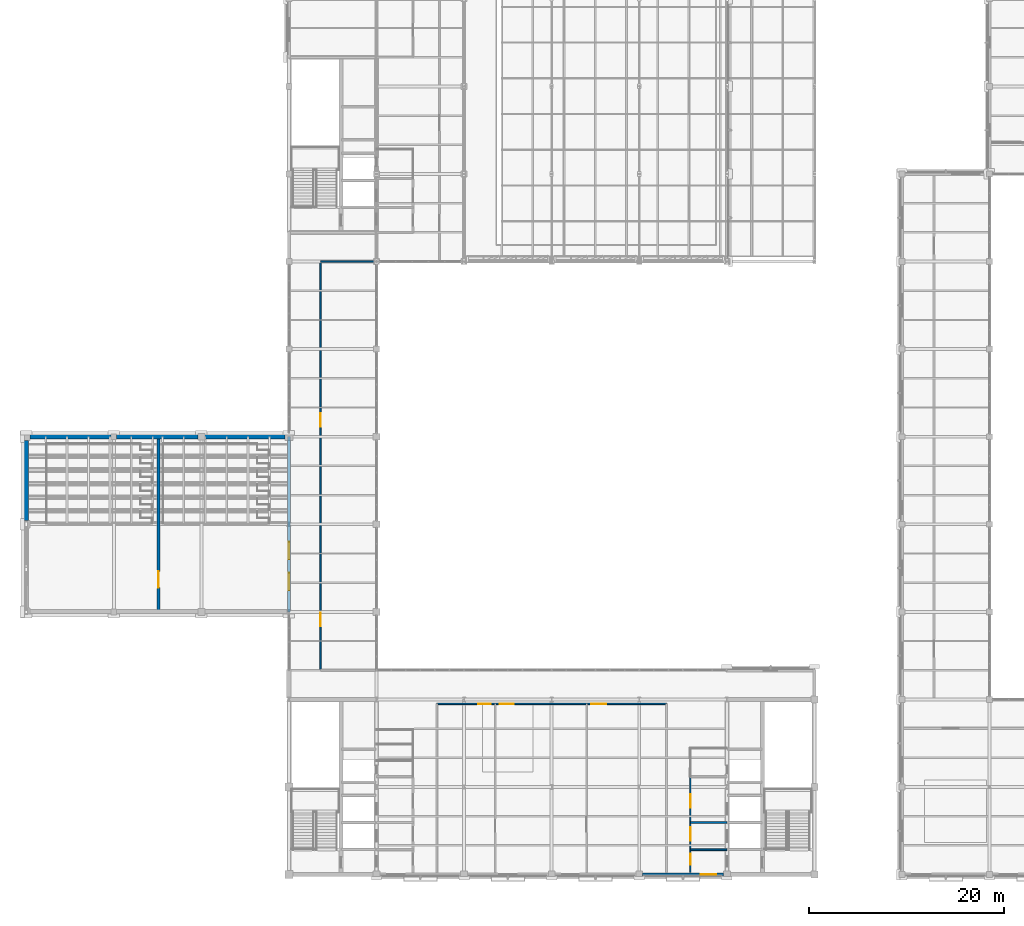
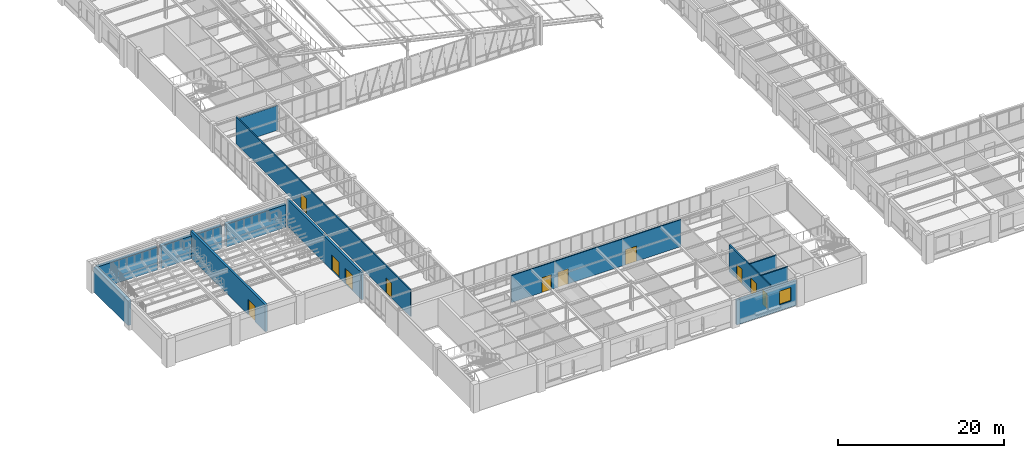
# One storey, part 112 of 130: 13 walls, 11 doors, 1 window, 12 openings.
"""IFC4 building model written with IfcOpenShell, lengths in metres."""

from ifc_helpers import new_model, si_unit, direction, frame, frame_2d, origin, place, context, subcontext, project, spatial, rectangle, extrude, material, layer, layer_set, type_object, element, fill, save


model = new_model("IFC4")

# Units and contexts
model_context = context("Model", 3, precision=1e-05, world=origin(), true_north=direction((0.0, 1.0)))
body_context = subcontext(model_context, "Body", "Model", "MODEL_VIEW")
ifc_project = project(units=[si_unit("LENGTHUNIT", "METRE"), si_unit("AREAUNIT", "SQUARE_METRE"), si_unit("VOLUMEUNIT", "CUBIC_METRE"), si_unit("PLANEANGLEUNIT", "RADIAN"), si_unit("MASSUNIT", "GRAM", prefix="KILO")], contexts=[model_context])

# Site, building, storey
site_placement = place(None, origin())
site = spatial("IfcSite", under=ifc_project, at=site_placement, CompositionType="ELEMENT")
building_placement = place(site_placement, origin())
building = spatial("IfcBuilding", under=site, at=building_placement, Name="Lykobir Media Centre", CompositionType="ELEMENT")
storey_placement = place(building_placement, frame((0.0, 0.0, 19.199951171875)))
storey = spatial("IfcBuildingStorey", under=building, at=storey_placement, Name="L04", CompositionType="ELEMENT", Elevation=19.199951171875)

# Walls
ifc_material_1 = material(Name="Concrete C35/45", Category="concrete")
ifc_layer_1 = layer(ifc_material_1, 0.4599609375, Name="Concrete C35/45")
ifc_layer_set_1 = layer_set([ifc_layer_1], Name="Concrete C35/45")
wall_type_1 = type_object("IfcWallType", Name="EW-ACO-460", PredefinedType="STANDARD", material=ifc_layer_set_1)
wall_1_placement = place(storey_placement, frame((8.715087890625, 45.0, 0.0), z_axis=(0.0, 0.0, 1.0), x_axis=(-1.0, 0.0, 0.0)))
element("IfcWall", 1, at=wall_1_placement, inside=storey, type_object=wall_type_1, Name="Exterior wall WALL-L04-0289", PredefinedType="STANDARD", context=body_context, shape_type="SweptSolid", body=[
    extrude(rectangle(XDim=8.330078125, YDim=0.4599609375, at=frame_2d((4.1650390625, 0.0))), origin(), (0.0, 0.0, 1.0), 3.3349609375),
])
wall_2_placement = place(storey_placement, frame((17.6650390625, 45.0, 0.0), z_axis=(0.0, 0.0, 1.0), x_axis=(-1.0, 0.0, 0.0)))
element("IfcWall", 2, at=wall_2_placement, inside=storey, type_object=wall_type_1, Name="Exterior wall WALL-L04-0290", PredefinedType="STANDARD", context=body_context, shape_type="SweptSolid", body=[
    extrude(rectangle(XDim=8.380126953125, YDim=0.4599609375, at=frame_2d((4.18994140625, 0.0))), origin(), (0.0, 0.0, 1.0), 3.3349609375),
])
wall_3_placement = place(storey_placement, frame((26.614990234375, 45.0, 0.0), z_axis=(0.0, 0.0, 1.0), x_axis=(-1.0, 0.0, 0.0)))
element("IfcWall", 3, at=wall_3_placement, inside=storey, type_object=wall_type_1, Name="Exterior wall WALL-L04-0291", PredefinedType="STANDARD", context=body_context, shape_type="SweptSolid", body=[
    extrude(rectangle(XDim=8.280029296875, YDim=0.4599609375, at=frame_2d((4.14013671875, 0.0))), origin(), (0.0, 0.0, 1.0), 3.3349609375),
])
wall_4_placement = place(storey_placement, frame((0.0, 44.614990234375, 0.0), z_axis=(0.0, 0.0, 1.0), x_axis=(0.0, -1.0, 0.0)))
element("IfcWall", 4, at=wall_4_placement, inside=storey, type_object=wall_type_1, Name="Exterior wall WALL-L04-0293", PredefinedType="STANDARD", context=body_context, shape_type="SweptSolid", body=[
    extrude(rectangle(XDim=8.22998046875, YDim=0.4599609375, at=frame_2d((4.114990234375, 0.0))), origin(), (0.0, 0.0, 1.0), 3.625),
])

# Wall, opening, window
ifc_material_2 = material(Name="Glazed Turquoise Terracotta", Category="masonry")
ifc_layer_2 = layer(ifc_material_2, 0.31005859375, Name="Glazed Turquoise Terracotta")
ifc_layer_set_2 = layer_set([ifc_layer_2], Name="Glazed Turquoise Terracotta")
wall_type_2 = type_object("IfcWallType", Name="EW-TER-310", PredefinedType="STANDARD", material=ifc_layer_set_2)
wall_5_placement = place(storey_placement, frame((63.3349609375, 0.0, 0.0), z_axis=(0.0, 0.0, 1.0), x_axis=(1.0, 0.0, 0.0)))
wall_5 = element("IfcWall", 5, at=wall_5_placement, inside=storey, type_object=wall_type_2, Name="Exterior wall WALL-L04-0276", PredefinedType="STANDARD", context=body_context, shape_type="SweptSolid", body=[
    extrude(rectangle(XDim=8.330078125, YDim=0.31005859375, at=frame_2d((4.1650390625, 0.0))), origin(), (0.0, 0.0, 1.0), 3.635009765625),
])
opening_1_placement = place(wall_5_placement, frame((5.97998046875, 0.0, 0.89990234375)))
opening_1 = element("IfcOpeningElement", 6, at=opening_1_placement, cuts=wall_5, Name="Opening WN-1600x2000", PredefinedType="OPENING", context=body_context, shape_type="SweptSolid", body=[
    extrude(rectangle(XDim=1.60009765625, YDim=2.0, at=frame_2d((0.800048828125, 1.0))), frame((0.0, 0.1650390625, 0.0), z_axis=(0.0, -1.0, 0.0), x_axis=(1.0, 0.0, 0.0)), (0.0, 0.0, 1.0), 0.330078125),
])
ifc_material_3 = material(Name="Low-E Laminated Triple Glazing", Category="glass")
window_type = type_object("IfcWindowType", Name="WN-1600x2000", PartitioningType="SINGLE_PANEL", PredefinedType="WINDOW", material=ifc_material_3)
window_placement = place(opening_1_placement, origin())
window = element("IfcWindow", 7, at=window_placement, inside=storey, type_object=window_type, Name="Window WIN-L04-0102", OverallHeight=2.0, OverallWidth=1.60009765625, PartitioningType="SINGLE_PANEL", PredefinedType="WINDOW", context=body_context, shape_type="SweptSolid", body=[
    extrude(rectangle(XDim=1.60009765625, YDim=2.0, at=frame_2d((0.800048828125, 1.0))), frame((0.0, 0.030029296875, 0.0), z_axis=(0.0, -1.0, 0.0), x_axis=(1.0, 0.0, 0.0)), (0.0, 0.0, 1.0), 0.06005859375),
])
fill(opening_1, window)

# Wall, openings, doors
ifc_material_4 = material(Name="Acoustic Gypsum Board", Category="gypsum")
ifc_layer_3 = layer(ifc_material_4, 0.14501953125, Name="Acoustic Gypsum Board")
ifc_layer_set_3 = layer_set([ifc_layer_3], Name="Acoustic Gypsum Board")
wall_type_3 = type_object("IfcWallType", Name="IW-COR-145", PredefinedType="PARTITIONING", material=ifc_layer_set_3)
wall_6_placement = place(storey_placement, frame((42.199951171875, 17.550048828125, 0.0), z_axis=(0.0, 0.0, 1.0), x_axis=(1.0, 0.0, 0.0)))
wall_6 = element("IfcWall", 8, at=wall_6_placement, inside=storey, type_object=wall_type_3, Name="Wall IWALL-L04-0734", PredefinedType="PARTITIONING", context=body_context, shape_type="SweptSolid", body=[
    extrude(rectangle(XDim=23.60009765625, YDim=0.14501953125, at=frame_2d((11.800048828125, 0.0))), origin(), (0.0, 0.0, 1.0), 3.9599609375),
])
opening_2_placement = place(wall_6_placement, frame((4.25, 0.0, 0.0)))
opening_2 = element("IfcOpeningElement", 9, at=opening_2_placement, cuts=wall_6, Name="Opening D-L04-V7R1", PredefinedType="OPENING", context=body_context, shape_type="SweptSolid", body=[
    extrude(rectangle(XDim=1.300048828125, YDim=2.179931640625, at=frame_2d((0.64990234375, 1.08984375))), frame((0.0, 0.08251953125, 0.0), z_axis=(0.0, -1.0, 0.0), x_axis=(1.0, 0.0, 0.0)), (0.0, 0.0, 1.0), 0.1650390625),
])
opening_3_placement = place(wall_6_placement, frame((6.449951171875, 0.0, 0.0)))
opening_3 = element("IfcOpeningElement", 10, at=opening_3_placement, cuts=wall_6, Name="Opening D-L04-V7R2", PredefinedType="OPENING", context=body_context, shape_type="SweptSolid", body=[
    extrude(rectangle(XDim=1.449951171875, YDim=2.219970703125, at=frame_2d((0.72509765625, 1.10986328125))), frame((0.0, 0.08251953125, 0.0), z_axis=(0.0, -1.0, 0.0), x_axis=(1.0, 0.0, 0.0)), (0.0, 0.0, 1.0), 0.1650390625),
])
opening_4_placement = place(wall_6_placement, frame((15.85009765625, 0.0, 0.0)))
opening_4 = element("IfcOpeningElement", 11, at=opening_4_placement, cuts=wall_6, Name="Opening D-L04-V7R3", PredefinedType="OPENING", context=body_context, shape_type="SweptSolid", body=[
    extrude(rectangle(XDim=1.550048828125, YDim=2.239990234375, at=frame_2d((0.77490234375, 1.1201171875))), frame((0.0, 0.08251953125, 0.0), z_axis=(0.0, -1.0, 0.0), x_axis=(1.0, 0.0, 0.0)), (0.0, 0.0, 1.0), 0.1650390625),
])
ifc_material_5 = material(Name="Acoustic Timber Panelling", Category="wood")
door_type_1 = type_object("IfcDoorType", Name="FD-1300x2180", OperationType="NOTDEFINED", PredefinedType="DOOR", material=ifc_material_5)
door_1_placement = place(opening_2_placement, origin())
door_1 = element("IfcDoor", 12, at=door_1_placement, inside=storey, type_object=door_type_1, Name="Door D-L04-V7R1", OperationType="SINGLE_SWING_RIGHT", OverallHeight=2.179931640625, OverallWidth=1.300048828125, PredefinedType="DOOR", context=body_context, shape_type="SweptSolid", body=[
    extrude(rectangle(XDim=1.300048828125, YDim=2.179931640625, at=frame_2d((0.64990234375, 1.08984375))), frame((0.0, 0.02490234375, 0.0), z_axis=(0.0, -1.0, 0.0), x_axis=(1.0, 0.0, 0.0)), (0.0, 0.0, 1.0), 0.050048828125),
])
fill(opening_2, door_1)
door_type_2 = type_object("IfcDoorType", Name="FD-1450x2220", OperationType="NOTDEFINED", PredefinedType="DOOR", material=ifc_material_5)
door_2_placement = place(opening_3_placement, origin())
door_2 = element("IfcDoor", 13, at=door_2_placement, inside=storey, type_object=door_type_2, Name="Door D-L04-V7R2", OperationType="SINGLE_SWING_RIGHT", OverallHeight=2.219970703125, OverallWidth=1.449951171875, PredefinedType="DOOR", context=body_context, shape_type="SweptSolid", body=[
    extrude(rectangle(XDim=1.449951171875, YDim=2.219970703125, at=frame_2d((0.72509765625, 1.10986328125))), frame((0.0, 0.02490234375, 0.0), z_axis=(0.0, -1.0, 0.0), x_axis=(1.0, 0.0, 0.0)), (0.0, 0.0, 1.0), 0.050048828125),
])
fill(opening_3, door_2)
door_type_3 = type_object("IfcDoorType", Name="FD-1550x2240", OperationType="NOTDEFINED", PredefinedType="DOOR", material=ifc_material_5)
door_3_placement = place(opening_4_placement, origin())
door_3 = element("IfcDoor", 14, at=door_3_placement, inside=storey, type_object=door_type_3, Name="Door D-L04-V7R3", OperationType="SINGLE_SWING_RIGHT", OverallHeight=2.239990234375, OverallWidth=1.550048828125, PredefinedType="DOOR", context=body_context, shape_type="SweptSolid", body=[
    extrude(rectangle(XDim=1.550048828125, YDim=2.239990234375, at=frame_2d((0.77490234375, 1.1201171875))), frame((0.0, 0.02490234375, 0.0), z_axis=(0.0, -1.0, 0.0), x_axis=(1.0, 0.0, 0.0)), (0.0, 0.0, 1.0), 0.050048828125),
])
fill(opening_4, door_3)

ifc_layer_4 = layer(ifc_material_4, 0.159912109375, Name="Acoustic Gypsum Board")
ifc_layer_set_4 = layer_set([ifc_layer_4], Name="Acoustic Gypsum Board")
wall_type_4 = type_object("IfcWallType", Name="IW-COR-160", PredefinedType="PARTITIONING", material=ifc_layer_set_4)
wall_7_placement = place(storey_placement, frame((30.25, 21.0, 0.0), z_axis=(0.0, 0.0, 1.0), x_axis=(0.0, 1.0, 0.0)))
wall_7 = element("IfcWall", 15, at=wall_7_placement, inside=storey, type_object=wall_type_4, Name="Wall IWALL-L04-0739", PredefinedType="PARTITIONING", context=body_context, shape_type="SweptSolid", body=[
    extrude(rectangle(XDim=42.0, YDim=0.159912109375, at=frame_2d((21.0, 0.0))), origin(), (0.0, 0.0, 1.0), 3.9599609375),
])
opening_5_placement = place(wall_7_placement, frame((4.5, 0.0, 0.0)))
opening_5 = element("IfcOpeningElement", 16, at=opening_5_placement, cuts=wall_7, Name="Opening D-L04-WG1", PredefinedType="OPENING", context=body_context, shape_type="SweptSolid", body=[
    extrude(rectangle(XDim=1.39990234375, YDim=2.199951171875, at=frame_2d((0.699951171875, 1.10009765625))), frame((0.0, 0.08984375, 0.0), z_axis=(0.0, -1.0, 0.0), x_axis=(1.0, 0.0, 0.0)), (0.0, 0.0, 1.0), 0.179931640625),
])
opening_6_placement = place(wall_7_placement, frame((25.0, 0.0, 0.0)))
opening_6 = element("IfcOpeningElement", 17, at=opening_6_placement, cuts=wall_7, Name="Opening D-L04-WG2", PredefinedType="OPENING", context=body_context, shape_type="SweptSolid", body=[
    extrude(rectangle(XDim=1.39990234375, YDim=2.199951171875, at=frame_2d((0.699951171875, 1.10009765625))), frame((0.0, 0.08984375, 0.0), z_axis=(0.0, -1.0, 0.0), x_axis=(1.0, 0.0, 0.0)), (0.0, 0.0, 1.0), 0.179931640625),
])
door_type_4 = type_object("IfcDoorType", Name="FD-1400x2200", OperationType="NOTDEFINED", PredefinedType="DOOR", material=ifc_material_5)
door_4_placement = place(opening_5_placement, origin())
door_4 = element("IfcDoor", 18, at=door_4_placement, inside=storey, type_object=door_type_4, Name="Door D-L04-WG1", OperationType="DOUBLE_DOOR_SINGLE_SWING", OverallHeight=2.199951171875, OverallWidth=1.39990234375, PredefinedType="DOOR", context=body_context, shape_type="SweptSolid", body=[
    extrude(rectangle(XDim=1.39990234375, YDim=2.199951171875, at=frame_2d((0.699951171875, 1.10009765625))), frame((0.0, 0.02490234375, 0.0), z_axis=(0.0, -1.0, 0.0), x_axis=(1.0, 0.0, 0.0)), (0.0, 0.0, 1.0), 0.050048828125),
])
fill(opening_5, door_4)
door_5_placement = place(opening_6_placement, origin())
door_5 = element("IfcDoor", 19, at=door_5_placement, inside=storey, type_object=door_type_4, Name="Door D-L04-WG2", OperationType="DOUBLE_DOOR_SINGLE_SWING", OverallHeight=2.199951171875, OverallWidth=1.39990234375, PredefinedType="DOOR", context=body_context, shape_type="SweptSolid", body=[
    extrude(rectangle(XDim=1.39990234375, YDim=2.199951171875, at=frame_2d((0.699951171875, 1.10009765625))), frame((0.0, 0.02490234375, 0.0), z_axis=(0.0, -1.0, 0.0), x_axis=(1.0, 0.0, 0.0)), (0.0, 0.0, 1.0), 0.050048828125),
])
fill(opening_6, door_5)

# Wall
wall_8_placement = place(storey_placement, frame((30.25, 63.0, 0.0), z_axis=(0.0, 0.0, 1.0), x_axis=(1.0, 0.0, 0.0)))
element("IfcWall", 20, at=wall_8_placement, inside=storey, type_object=wall_type_4, Name="Wall IWALL-L04-0741", PredefinedType="PARTITIONING", context=body_context, shape_type="SweptSolid", body=[
    extrude(rectangle(XDim=5.75, YDim=0.159912109375, at=frame_2d((2.875, 0.0))), origin(), (0.0, 0.0, 1.0), 3.635009765625),
])

# Wall, openings, doors
ifc_layer_5 = layer(ifc_material_4, 0.179931640625, Name="Acoustic Gypsum Board")
ifc_layer_set_5 = layer_set([ifc_layer_5], Name="Acoustic Gypsum Board")
wall_type_5 = type_object("IfcWallType", Name="IW-FFLOB-180", PredefinedType="PARTITIONING", material=ifc_layer_set_5)
wall_9_placement = place(storey_placement, frame((68.25, 0.219970703125, 0.0), z_axis=(0.0, 0.0, 1.0), x_axis=(0.0, 1.0, 0.0)))
wall_9 = element("IfcWall", 21, at=wall_9_placement, inside=storey, type_object=wall_type_5, Name="Wall IWALL-L04-0273", PredefinedType="PARTITIONING", context=body_context, shape_type="SweptSolid", body=[
    extrude(rectangle(XDim=9.830078125, YDim=0.179931640625, at=frame_2d((4.9150390625, 0.0))), origin(), (0.0, 0.0, 1.0), 3.9599609375),
])
opening_7_placement = place(wall_9_placement, frame((0.800048828125, 0.0, 0.0)))
opening_7 = element("IfcOpeningElement", 22, at=opening_7_placement, cuts=wall_9, Name="Opening D-L04-C2LV", PredefinedType="OPENING", context=body_context, shape_type="SweptSolid", body=[
    extrude(rectangle(XDim=1.10009765625, YDim=2.159912109375, at=frame_2d((0.550048828125, 1.080078125))), frame((0.0, 0.099853515625, 0.0), z_axis=(0.0, -1.0, 0.0), x_axis=(1.0, 0.0, 0.0)), (0.0, 0.0, 1.0), 0.199951171875),
])
opening_8_placement = place(wall_9_placement, frame((3.25, 0.0, 0.0)))
opening_8 = element("IfcOpeningElement", 23, at=opening_8_placement, cuts=wall_9, Name="Opening D-L04-C2PL", PredefinedType="OPENING", context=body_context, shape_type="SweptSolid", body=[
    extrude(rectangle(XDim=1.39990234375, YDim=2.199951171875, at=frame_2d((0.699951171875, 1.10009765625))), frame((0.0, 0.099853515625, 0.0), z_axis=(0.0, -1.0, 0.0), x_axis=(1.0, 0.0, 0.0)), (0.0, 0.0, 1.0), 0.199951171875),
])
opening_9_placement = place(wall_9_placement, frame((6.64990234375, 0.0, 0.0)))
opening_9 = element("IfcOpeningElement", 24, at=opening_9_placement, cuts=wall_9, Name="Opening D-L04-C2FF", PredefinedType="OPENING", context=body_context, shape_type="SweptSolid", body=[
    extrude(rectangle(XDim=1.39990234375, YDim=2.199951171875, at=frame_2d((0.699951171875, 1.10009765625))), frame((0.0, 0.099853515625, 0.0), z_axis=(0.0, -1.0, 0.0), x_axis=(1.0, 0.0, 0.0)), (0.0, 0.0, 1.0), 0.199951171875),
])
door_type_5 = type_object("IfcDoorType", Name="FD-1100x2160", OperationType="NOTDEFINED", PredefinedType="DOOR", material=ifc_material_5)
door_6_placement = place(opening_7_placement, origin())
door_6 = element("IfcDoor", 25, at=door_6_placement, inside=storey, type_object=door_type_5, Name="Door D-L04-C2LV", OperationType="SINGLE_SWING_RIGHT", OverallHeight=2.159912109375, OverallWidth=1.10009765625, PredefinedType="DOOR", context=body_context, shape_type="SweptSolid", body=[
    extrude(rectangle(XDim=1.10009765625, YDim=2.159912109375, at=frame_2d((0.550048828125, 1.080078125))), frame((0.0, 0.02490234375, 0.0), z_axis=(0.0, -1.0, 0.0), x_axis=(1.0, 0.0, 0.0)), (0.0, 0.0, 1.0), 0.050048828125),
])
fill(opening_7, door_6)
door_7_placement = place(opening_8_placement, origin())
door_7 = element("IfcDoor", 26, at=door_7_placement, inside=storey, type_object=door_type_4, Name="Door D-L04-C2PL", OperationType="DOUBLE_DOOR_SINGLE_SWING", OverallHeight=2.199951171875, OverallWidth=1.39990234375, PredefinedType="DOOR", context=body_context, shape_type="SweptSolid", body=[
    extrude(rectangle(XDim=1.39990234375, YDim=2.199951171875, at=frame_2d((0.699951171875, 1.10009765625))), frame((0.0, 0.02490234375, 0.0), z_axis=(0.0, -1.0, 0.0), x_axis=(1.0, 0.0, 0.0)), (0.0, 0.0, 1.0), 0.050048828125),
])
fill(opening_8, door_7)
door_8_placement = place(opening_9_placement, origin())
door_8 = element("IfcDoor", 27, at=door_8_placement, inside=storey, type_object=door_type_4, Name="Door D-L04-C2FF", OperationType="DOUBLE_DOOR_SINGLE_SWING", OverallHeight=2.199951171875, OverallWidth=1.39990234375, PredefinedType="DOOR", context=body_context, shape_type="SweptSolid", body=[
    extrude(rectangle(XDim=1.39990234375, YDim=2.199951171875, at=frame_2d((0.699951171875, 1.10009765625))), frame((0.0, 0.02490234375, 0.0), z_axis=(0.0, -1.0, 0.0), x_axis=(1.0, 0.0, 0.0)), (0.0, 0.0, 1.0), 0.050048828125),
])
fill(opening_9, door_8)

# Walls
for number, where, z_axis, x_axis, name in (
    (28, (68.25, 2.550048828125, 0.0), (0.0, 0.0, 1.0), (1.0, 0.0, 0.0), "Wall IWALL-L04-0274"),
    (29, (68.25, 5.35009765625, 0.0), (0.0, 0.0, 1.0), (1.0, 0.0, 0.0), "Wall IWALL-L04-0275"),
):
    element("IfcWall", number, at=place(storey_placement, frame(where, z_axis=z_axis, x_axis=x_axis)), inside=storey, type_object=wall_type_5, Name=name, PredefinedType="PARTITIONING", context=body_context, shape_type="SweptSolid", body=[
        extrude(rectangle(XDim=3.75, YDim=0.179931640625, at=frame_2d((1.875, 0.0))), origin(), (0.0, 0.0, 1.0), 3.9599609375),
    ])

# Wall, openings, doors
ifc_material_6 = material(Name="Concrete C40/50", Category="concrete")
ifc_layer_6 = layer(ifc_material_6, 0.300048828125, Name="Concrete C40/50")
ifc_layer_set_6 = layer_set([ifc_layer_6], Name="Concrete C40/50")
wall_type_6 = type_object("IfcWallType", Name="SW-COMP-300", PredefinedType="SHEAR", material=ifc_layer_set_6)
wall_10_placement = place(storey_placement, frame((27.0, 27.0, 0.0), z_axis=(0.0, 0.0, 1.0), x_axis=(0.0, 1.0, 0.0)))
wall_10 = element("IfcWall", 30, at=wall_10_placement, inside=storey, type_object=wall_type_6, Name="Wall IWALL-L04-0742", PredefinedType="SHEAR", context=body_context, shape_type="SweptSolid", body=[
    extrude(rectangle(XDim=18.0, YDim=0.300048828125, at=frame_2d((9.0, 0.0))), origin(), (0.0, 0.0, 1.0), 3.9599609375),
])
opening_10_placement = place(wall_10_placement, frame((2.199951171875, 0.0, 0.0)))
opening_10 = element("IfcOpeningElement", 31, at=opening_10_placement, cuts=wall_10, Name="Opening D-L04-CIN1", PredefinedType="OPENING", context=body_context, shape_type="SweptSolid", body=[
    extrude(rectangle(XDim=1.800048828125, YDim=2.280029296875, at=frame_2d((0.89990234375, 1.14013671875))), frame((0.0, 0.159912109375, 0.0), z_axis=(0.0, -1.0, 0.0), x_axis=(1.0, 0.0, 0.0)), (0.0, 0.0, 1.0), 0.320068359375),
])
opening_11_placement = place(wall_10_placement, frame((5.39990234375, 0.0, 0.0)))
opening_11 = element("IfcOpeningElement", 32, at=opening_11_placement, cuts=wall_10, Name="Opening D-L04-CIN2", PredefinedType="OPENING", context=body_context, shape_type="SweptSolid", body=[
    extrude(rectangle(XDim=1.800048828125, YDim=2.280029296875, at=frame_2d((0.89990234375, 1.14013671875))), frame((0.0, 0.159912109375, 0.0), z_axis=(0.0, -1.0, 0.0), x_axis=(1.0, 0.0, 0.0)), (0.0, 0.0, 1.0), 0.320068359375),
])
door_type_6 = type_object("IfcDoorType", Name="FD-1800x2280", OperationType="NOTDEFINED", PredefinedType="DOOR", material=ifc_material_5)
door_9_placement = place(opening_10_placement, origin())
door_9 = element("IfcDoor", 33, at=door_9_placement, inside=storey, type_object=door_type_6, Name="Door D-L04-CIN1", OperationType="DOUBLE_DOOR_SINGLE_SWING", OverallHeight=2.280029296875, OverallWidth=1.800048828125, PredefinedType="DOOR", context=body_context, shape_type="SweptSolid", body=[
    extrude(rectangle(XDim=1.800048828125, YDim=2.280029296875, at=frame_2d((0.89990234375, 1.14013671875))), frame((0.0, 0.02490234375, 0.0), z_axis=(0.0, -1.0, 0.0), x_axis=(1.0, 0.0, 0.0)), (0.0, 0.0, 1.0), 0.050048828125),
])
fill(opening_10, door_9)
door_10_placement = place(opening_11_placement, origin())
door_10 = element("IfcDoor", 34, at=door_10_placement, inside=storey, type_object=door_type_6, Name="Door D-L04-CIN2", OperationType="DOUBLE_DOOR_SINGLE_SWING", OverallHeight=2.280029296875, OverallWidth=1.800048828125, PredefinedType="DOOR", context=body_context, shape_type="SweptSolid", body=[
    extrude(rectangle(XDim=1.800048828125, YDim=2.280029296875, at=frame_2d((0.89990234375, 1.14013671875))), frame((0.0, 0.02490234375, 0.0), z_axis=(0.0, -1.0, 0.0), x_axis=(1.0, 0.0, 0.0)), (0.0, 0.0, 1.0), 0.050048828125),
])
fill(opening_11, door_10)

# Wall, opening, door
wall_11_placement = place(storey_placement, frame((13.60009765625, 27.0, 0.0), z_axis=(0.0, 0.0, 1.0), x_axis=(0.0, 1.0, 0.0)))
wall_11 = element("IfcWall", 35, at=wall_11_placement, inside=storey, type_object=wall_type_6, Name="Wall IWALL-L04-0743", PredefinedType="SHEAR", context=body_context, shape_type="SweptSolid", body=[
    extrude(rectangle(XDim=18.0, YDim=0.300048828125, at=frame_2d((9.0, 0.0))), origin(), (0.0, 0.0, 1.0), 3.9599609375),
])
opening_12_placement = place(wall_11_placement, frame((2.5, 0.0, 0.0)))
opening_12 = element("IfcOpeningElement", 36, at=opening_12_placement, cuts=wall_11, Name="Opening D-L04-CIN67", PredefinedType="OPENING", context=body_context, shape_type="SweptSolid", body=[
    extrude(rectangle(XDim=1.64990234375, YDim=2.25, at=frame_2d((0.824951171875, 1.125))), frame((0.0, 0.159912109375, 0.0), z_axis=(0.0, -1.0, 0.0), x_axis=(1.0, 0.0, 0.0)), (0.0, 0.0, 1.0), 0.320068359375),
])
door_type_7 = type_object("IfcDoorType", Name="FD-1650x2250", OperationType="NOTDEFINED", PredefinedType="DOOR", material=ifc_material_5)
door_11_placement = place(opening_12_placement, origin())
door_11 = element("IfcDoor", 37, at=door_11_placement, inside=storey, type_object=door_type_7, Name="Door D-L04-CIN67", OperationType="DOUBLE_DOOR_SINGLE_SWING", OverallHeight=2.25, OverallWidth=1.64990234375, PredefinedType="DOOR", context=body_context, shape_type="SweptSolid", body=[
    extrude(rectangle(XDim=1.64990234375, YDim=2.25, at=frame_2d((0.824951171875, 1.125))), frame((0.0, 0.02490234375, 0.0), z_axis=(0.0, -1.0, 0.0), x_axis=(1.0, 0.0, 0.0)), (0.0, 0.0, 1.0), 0.050048828125),
])
fill(opening_12, door_11)

save(model, "model.ifc")
